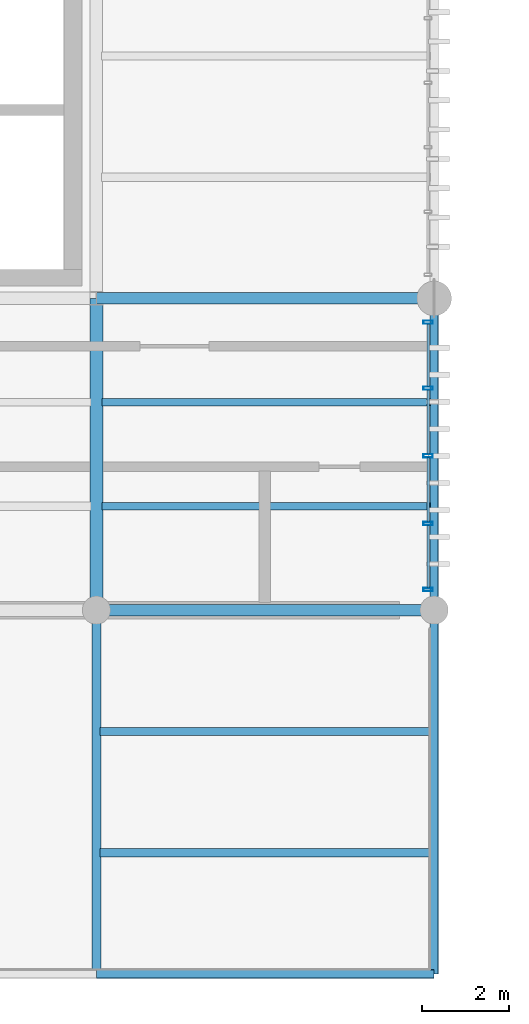
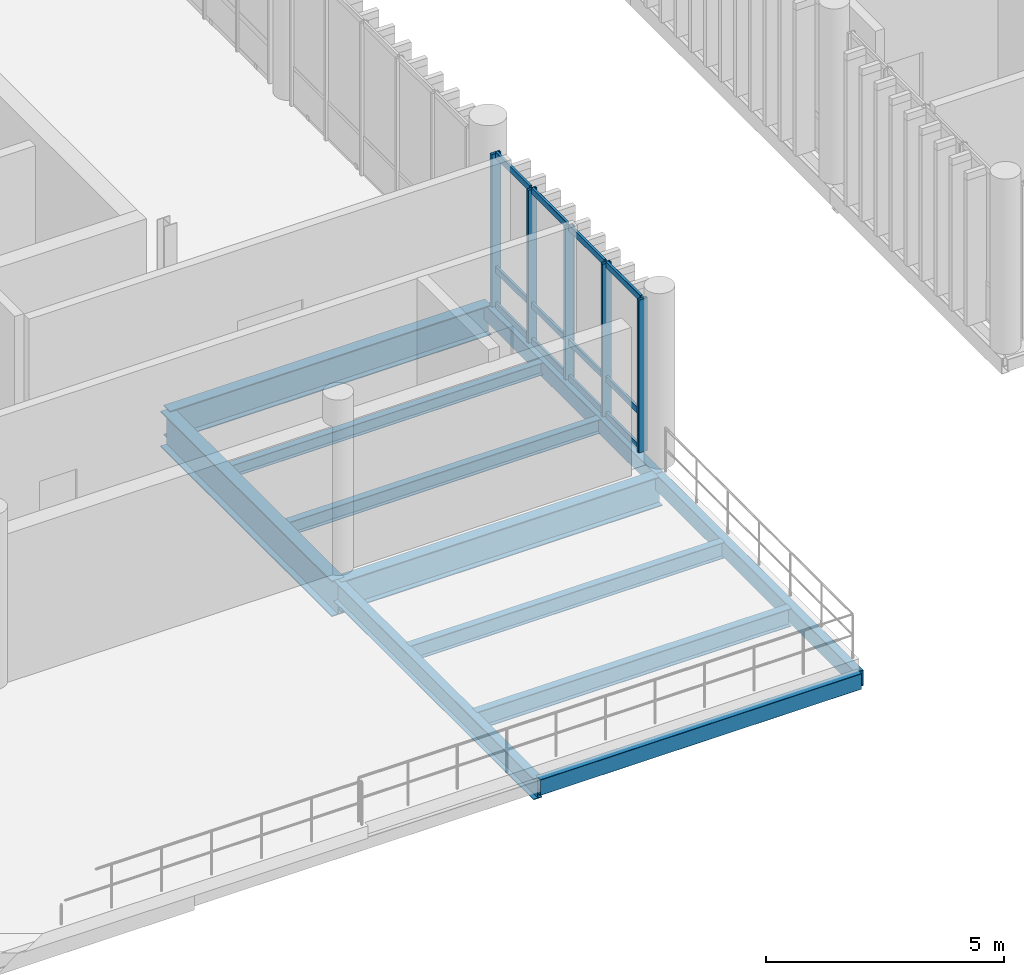
# One storey, part 15 of 66: 17 members, 11 beams, 1 element without a shape of its own.
"""IFC4 building model written with IfcOpenShell, lengths in metres."""

from ifc_helpers import new_model, si_unit, direction, frame, origin_with_axes, origin_2d_with_axis, place, context, subcontext, project, spatial, hollow_rectangle, i_section, extrude, material, material_profile, profile_set, type_object, element, aggregate, save


model = new_model("IFC4")

# Units and contexts
model_context = context("Model", 3, precision=1e-05, world=origin_with_axes(), true_north=direction((0.0, 1.0)))
body_context = subcontext(model_context, "Body", "Model", "MODEL_VIEW")
ifc_project = project(units=[si_unit("LENGTHUNIT", "METRE"), si_unit("AREAUNIT", "SQUARE_METRE"), si_unit("VOLUMEUNIT", "CUBIC_METRE"), si_unit("PLANEANGLEUNIT", "RADIAN"), si_unit("MASSUNIT", "GRAM", prefix="KILO"), si_unit("THERMODYNAMICTEMPERATUREUNIT", "KELVIN")], contexts=[model_context])

# Site, building, storey
site_placement = place(None, origin_with_axes())
site = spatial("IfcSite", under=ifc_project, at=site_placement, CompositionType="ELEMENT")
building_placement = place(site_placement, origin_with_axes())
building = spatial("IfcBuilding", under=site, at=building_placement, Name="Montbau Bow Law Courts", CompositionType="ELEMENT")
storey_placement = place(building_placement, frame((0.0, 0.0, 34.5), z_axis=(0.0, 0.0, 1.0), x_axis=(1.0, 0.0, 0.0)))
storey = spatial("IfcBuildingStorey", under=building, at=storey_placement, Name="L07", CompositionType="ELEMENT", Elevation=34.5)

# Beams
ifc_material_1 = material(Name="Steel CSA G40.21 Grade 350W (350 MPa)", Category="steel")
ifc_material_profile_1 = material_profile(ifc_material_1, i_section(OverallWidth=0.306, OverallDepth=0.919, WebThickness=0.0173, FlangeThickness=0.0279, at=origin_2d_with_axis()), Name="W920X253", Category="Main", Priority=0)
ifc_profile_set_1 = profile_set([ifc_material_profile_1], Name="Steel CSA G40.21 Grade 350W (350 MPa)")
beam_type_1 = type_object("IfcBeamType", Name="B-FLR-01", PredefinedType="BEAM", material=ifc_profile_set_1)
beam_1_placement = place(None, frame((39.0, 39.0, 33.721), z_axis=(0.0, 1.0, 0.0), x_axis=(-1.0, 0.0, 0.0)))
element("IfcBeam", 1, at=beam_1_placement, inside=storey, type_object=beam_type_1, Name="BM-L07-S0753:bm2_0756", PredefinedType="BEAM", context=body_context, shape_type="SweptSolid", body=[
    extrude(i_section(OverallWidth=0.306, OverallDepth=0.919, WebThickness=0.0173, FlangeThickness=0.0279, at=origin_2d_with_axis()), origin_with_axes(), (0.0, 0.0, 1.0), 7.2),
])
ifc_material_profile_2 = material_profile(ifc_material_1, i_section(OverallWidth=0.267, OverallDepth=0.766, WebThickness=0.0149, FlangeThickness=0.0236, at=origin_2d_with_axis()), Name="W760X185", Category="Main", Priority=0)
ifc_profile_set_2 = profile_set([ifc_material_profile_2], Name="Steel CSA G40.21 Grade 350W (350 MPa)")
beam_type_2 = type_object("IfcBeamType", Name="B-FLR-03", PredefinedType="BEAM", material=ifc_profile_set_2)
for number, where, z_axis, x_axis, name in (
    (2, (39.0, 39.0, 33.797), (1.0, 0.0, 0.0), (0.0, 1.0, 0.0), "BM-L07-S0722:bm2_0725"),
    (3, (39.0, 46.2, 33.817), (1.0, 0.0, 0.0), (0.0, 1.0, 0.0), "BM-L07-S0727:bm2_0730"),
):
    element("IfcBeam", number, at=place(None, frame(where, z_axis=z_axis, x_axis=x_axis)), inside=storey, type_object=beam_type_2, Name=name, PredefinedType="BEAM", context=body_context, shape_type="SweptSolid", body=[
        extrude(i_section(OverallWidth=0.267, OverallDepth=0.766, WebThickness=0.0149, FlangeThickness=0.0236, at=origin_2d_with_axis()), origin_with_axes(), (0.0, 0.0, 1.0), 7.8),
    ])
ifc_material_profile_3 = material_profile(ifc_material_1, i_section(OverallWidth=0.21, OverallDepth=0.537, WebThickness=0.0109, FlangeThickness=0.0174, at=origin_2d_with_axis()), Name="W530X101", Category="Main", Priority=0)
ifc_profile_set_3 = profile_set([ifc_material_profile_3], Name="Steel CSA G40.21 Grade 350W (350 MPa)")
beam_type_3 = type_object("IfcBeamType", Name="B-FLR-06", PredefinedType="BEAM", material=ifc_profile_set_3)
beam_2_placement = place(None, frame((39.0, 30.6, 33.911), z_axis=(0.0, 1.0, 0.0), x_axis=(-1.0, 0.0, 0.0)))
element("IfcBeam", 4, at=beam_2_placement, inside=storey, type_object=beam_type_3, Name="BM-L07-S0752:bm2_0755", PredefinedType="BEAM", context=body_context, shape_type="SweptSolid", body=[
    extrude(i_section(OverallWidth=0.21, OverallDepth=0.537, WebThickness=0.0109, FlangeThickness=0.0174, at=origin_2d_with_axis()), origin_with_axes(), (0.0, 0.0, 1.0), 8.4),
])
ifc_material_profile_4 = material_profile(ifc_material_1, i_section(OverallWidth=0.191, OverallDepth=0.46, WebThickness=0.0099, FlangeThickness=0.016, at=origin_2d_with_axis()), Name="W460X82", Category="Main", Priority=0)
ifc_profile_set_4 = profile_set([ifc_material_profile_4], Name="Steel CSA G40.21 Grade 350W (350 MPa)")
beam_type_4 = type_object("IfcBeamType", Name="B-JST-01", PredefinedType="JOIST", material=ifc_profile_set_4)
beam_3_placement = place(None, frame((39.081, 33.4, 33.95), z_axis=(1.0, 0.0, 0.0), x_axis=(0.0, 1.0, 0.0)))
element("IfcBeam", 5, at=beam_3_placement, inside=storey, type_object=beam_type_4, Name="JST-L07-S0380:jst2_0380", PredefinedType="JOIST", context=body_context, shape_type="SweptSolid", body=[
    extrude(i_section(OverallWidth=0.191, OverallDepth=0.46, WebThickness=0.0099, FlangeThickness=0.016, at=origin_2d_with_axis()), origin_with_axes(), (0.0, 0.0, 1.0), 7.639),
])
ifc_material_profile_5 = material_profile(ifc_material_1, i_section(OverallWidth=0.179, OverallDepth=0.41, WebThickness=0.0088, FlangeThickness=0.0144, at=origin_2d_with_axis()), Name="W410X67", Category="Main", Priority=0)
ifc_profile_set_5 = profile_set([ifc_material_profile_5], Name="Steel CSA G40.21 Grade 350W (350 MPa)")
beam_type_5 = type_object("IfcBeamType", Name="B-JST-02", PredefinedType="JOIST", material=ifc_profile_set_5)
beam_4_placement = place(None, frame((39.081, 36.2, 33.975), z_axis=(1.0, 0.0, 0.0), x_axis=(0.0, 1.0, 0.0)))
element("IfcBeam", 6, at=beam_4_placement, inside=storey, type_object=beam_type_5, Name="JST-L07-S0381:jst2_0381", PredefinedType="JOIST", context=body_context, shape_type="SweptSolid", body=[
    extrude(i_section(OverallWidth=0.179, OverallDepth=0.41, WebThickness=0.0088, FlangeThickness=0.0144, at=origin_2d_with_axis()), origin_with_axes(), (0.0, 0.0, 1.0), 7.639),
])
ifc_material_profile_6 = material_profile(ifc_material_1, i_section(OverallWidth=0.172, OverallDepth=0.358, WebThickness=0.0079, FlangeThickness=0.0131, at=origin_2d_with_axis()), Name="W360X57", Category="Main", Priority=0)
ifc_profile_set_6 = profile_set([ifc_material_profile_6], Name="Steel CSA G40.21 Grade 350W (350 MPa)")
beam_type_6 = type_object("IfcBeamType", Name="B-JST-03", PredefinedType="JOIST", material=ifc_profile_set_6)
beam_5_placement = place(None, frame((39.129, 41.4, 34.001), z_axis=(1.0, 0.0, 0.0), x_axis=(0.0, 1.0, 0.0)))
element("IfcBeam", 7, at=beam_5_placement, inside=storey, type_object=beam_type_6, Name="JST-L07-S0382:jst2_0382", PredefinedType="JOIST", context=body_context, shape_type="SweptSolid", body=[
    extrude(i_section(OverallWidth=0.172, OverallDepth=0.358, WebThickness=0.0079, FlangeThickness=0.0131, at=origin_2d_with_axis()), origin_with_axes(), (0.0, 0.0, 1.0), 7.591),
])
ifc_material_profile_7 = material_profile(ifc_material_1, i_section(OverallWidth=0.166, OverallDepth=0.313, WebThickness=0.0066, FlangeThickness=0.0112, at=origin_2d_with_axis()), Name="W310X45", Category="Main", Priority=0)
ifc_profile_set_7 = profile_set([ifc_material_profile_7], Name="Steel CSA G40.21 Grade 350W (350 MPa)")
beam_type_7 = type_object("IfcBeamType", Name="B-JST-04", PredefinedType="JOIST", material=ifc_profile_set_7)
beam_6_placement = place(None, frame((39.129, 43.8, 34.023), z_axis=(1.0, 0.0, 0.0), x_axis=(0.0, 1.0, 0.0)))
element("IfcBeam", 8, at=beam_6_placement, inside=storey, type_object=beam_type_7, Name="JST-L07-S0383:jst2_0383", PredefinedType="JOIST", context=body_context, shape_type="SweptSolid", body=[
    extrude(i_section(OverallWidth=0.166, OverallDepth=0.313, WebThickness=0.0066, FlangeThickness=0.0112, at=origin_2d_with_axis()), origin_with_axes(), (0.0, 0.0, 1.0), 7.591),
])
ifc_material_2 = material(Name="Steel CSA G40.21 Grade 350WT (350 MPa)", Category="steel")
ifc_material_profile_8 = material_profile(ifc_material_2, hollow_rectangle(XDim=0.203, YDim=0.406, WallThickness=0.0127, InnerFilletRadius=0.0254, OuterFilletRadius=0.0127, at=origin_2d_with_axis()), Name="HSS406X203X13", Category="Main", Priority=0)
ifc_profile_set_8 = profile_set([ifc_material_profile_8], Name="Steel CSA G40.21 Grade 350WT (350 MPa)")
beam_type_8 = type_object("IfcBeamType", Name="B-SPN-01", PredefinedType="SPANDREL", material=ifc_profile_set_8)
beam_7_placement = place(None, frame((39.0, 30.6, 33.977), z_axis=(1.0, 0.0, 0.0), x_axis=(0.0, 1.0, 0.0)))
element("IfcBeam", 9, at=beam_7_placement, inside=storey, type_object=beam_type_8, Name="SPN-L07-S0717:bm2_0720", PredefinedType="SPANDREL", context=body_context, shape_type="SweptSolid", body=[
    extrude(hollow_rectangle(XDim=0.203, YDim=0.406, WallThickness=0.0127, InnerFilletRadius=0.0254, OuterFilletRadius=0.0127, at=origin_2d_with_axis()), origin_with_axes(), (0.0, 0.0, 1.0), 7.8),
])
beam_8_placement = place(None, frame((46.8, 30.6, 33.977), z_axis=(0.0, 1.0, 0.0), x_axis=(-1.0, 0.0, 0.0)))
element("IfcBeam", 10, at=beam_8_placement, inside=storey, type_object=beam_type_8, Name="SPN-L07-S0756:bm2_0759", PredefinedType="SPANDREL", context=body_context, shape_type="SweptSolid", body=[
    extrude(hollow_rectangle(XDim=0.203, YDim=0.406, WallThickness=0.0127, InnerFilletRadius=0.0254, OuterFilletRadius=0.0127, at=origin_2d_with_axis()), origin_with_axes(), (0.0, 0.0, 1.0), 8.4),
])
beam_9_placement = place(None, frame((46.8, 39.0, 33.977), z_axis=(0.0, 1.0, 0.0), x_axis=(-1.0, 0.0, 0.0)))
element("IfcBeam", 11, at=beam_9_placement, inside=storey, type_object=beam_type_8, Name="SPN-L07-S0757:bm2_0760", PredefinedType="SPANDREL", context=body_context, shape_type="SweptSolid", body=[
    extrude(hollow_rectangle(XDim=0.203, YDim=0.406, WallThickness=0.0127, InnerFilletRadius=0.0254, OuterFilletRadius=0.0127, at=origin_2d_with_axis()), origin_with_axes(), (0.0, 0.0, 1.0), 7.2),
])

# Curtain wall, members
ifc_material_3 = material(Name="Thermally Broken Extruded Aluminium AA 6063-T6", Category="aluminium")
curtain_wall_type = type_object("IfcCurtainWallType", Name="CW-TRC-02", PredefinedType="NOTDEFINED", material=ifc_material_3)
curtain_wall_placement = place(None, frame((46.66, 39.44, 34.5), z_axis=(0.0, 0.0, 1.0), x_axis=(1.0, 0.0, 0.0)))
curtain_wall = element("IfcCurtainWall", 12, at=curtain_wall_placement, inside=storey, type_object=curtain_wall_type, Name="CW-L07-120:cw_0120", PredefinedType="NOTDEFINED")
ifc_material_profile_9 = material_profile(ifc_material_3, hollow_rectangle(XDim=0.075, YDim=0.22, WallThickness=0.005, InnerFilletRadius=0.01, OuterFilletRadius=0.005, at=origin_2d_with_axis()), Name="CWM-220X75", Category="Main", Priority=0)
ifc_profile_set_9 = profile_set([ifc_material_profile_9], Name="Thermally Broken Extruded Aluminium AA 6063-T6")
member_type_1 = type_object("IfcMemberType", Name="M-MUL-01", PredefinedType="MULLION", material=ifc_profile_set_9)
member_1_placement = place(None, frame((46.66, 39.477, 34.5), z_axis=(0.0, 0.0, 1.0), x_axis=(0.0, 1.0, 0.0)))
member_1 = element("IfcMember", 13, at=member_1_placement, type_object=member_type_1, Name="CW-L07-120-M01:cw_0120_M01", PredefinedType="MULLION", context=body_context, shape_type="SweptSolid", body=[
    extrude(hollow_rectangle(XDim=0.075, YDim=0.22, WallThickness=0.005, InnerFilletRadius=0.01, OuterFilletRadius=0.005, at=origin_2d_with_axis()), origin_with_axes(), (0.0, 0.0, 1.0), 3.92),
])
member_2_placement = place(None, frame((46.66, 41.001, 34.5), z_axis=(0.0, 0.0, 1.0), x_axis=(0.0, 1.0, 0.0)))
member_2 = element("IfcMember", 14, at=member_2_placement, type_object=member_type_1, Name="CW-L07-120-M02:cw_0120_M02", PredefinedType="MULLION", context=body_context, shape_type="SweptSolid", body=[
    extrude(hollow_rectangle(XDim=0.075, YDim=0.22, WallThickness=0.005, InnerFilletRadius=0.01, OuterFilletRadius=0.005, at=origin_2d_with_axis()), origin_with_axes(), (0.0, 0.0, 1.0), 3.92),
])
member_3_placement = place(None, frame((46.66, 42.563, 34.5), z_axis=(0.0, 0.0, 1.0), x_axis=(0.0, 1.0, 0.0)))
member_3 = element("IfcMember", 15, at=member_3_placement, type_object=member_type_1, Name="CW-L07-120-M03:cw_0120_M03", PredefinedType="MULLION", context=body_context, shape_type="SweptSolid", body=[
    extrude(hollow_rectangle(XDim=0.075, YDim=0.22, WallThickness=0.005, InnerFilletRadius=0.01, OuterFilletRadius=0.005, at=origin_2d_with_axis()), origin_with_axes(), (0.0, 0.0, 1.0), 3.92),
])
member_4_placement = place(None, frame((46.66, 44.124, 34.5), z_axis=(0.0, 0.0, 1.0), x_axis=(0.0, 1.0, 0.0)))
member_4 = element("IfcMember", 16, at=member_4_placement, type_object=member_type_1, Name="CW-L07-120-M04:cw_0120_M04", PredefinedType="MULLION", context=body_context, shape_type="SweptSolid", body=[
    extrude(hollow_rectangle(XDim=0.075, YDim=0.22, WallThickness=0.005, InnerFilletRadius=0.01, OuterFilletRadius=0.005, at=origin_2d_with_axis()), origin_with_axes(), (0.0, 0.0, 1.0), 3.92),
])
member_5_placement = place(None, frame((46.66, 45.648, 34.5), z_axis=(0.0, 0.0, 1.0), x_axis=(0.0, 1.0, 0.0)))
member_5 = element("IfcMember", 17, at=member_5_placement, type_object=member_type_1, Name="CW-L07-120-M05:cw_0120_M05", PredefinedType="MULLION", context=body_context, shape_type="SweptSolid", body=[
    extrude(hollow_rectangle(XDim=0.075, YDim=0.22, WallThickness=0.005, InnerFilletRadius=0.01, OuterFilletRadius=0.005, at=origin_2d_with_axis()), origin_with_axes(), (0.0, 0.0, 1.0), 3.92),
])
ifc_material_profile_10 = material_profile(ifc_material_3, hollow_rectangle(XDim=0.06, YDim=0.16, WallThickness=0.004, InnerFilletRadius=0.008, OuterFilletRadius=0.004, at=origin_2d_with_axis()), Name="CWT-160X60", Category="Main", Priority=0)
ifc_profile_set_10 = profile_set([ifc_material_profile_10], Name="Thermally Broken Extruded Aluminium AA 6063-T6")
member_type_2 = type_object("IfcMemberType", Name="M-TRN-01", PredefinedType="USERDEFINED", material=ifc_profile_set_10)
member_6_placement = place(None, frame((46.66, 39.516, 34.53), z_axis=(0.0, 1.0, 0.0), x_axis=(-1.0, 0.0, 0.0)))
member_6 = element("IfcMember", 18, at=member_6_placement, type_object=member_type_2, Name="CW-L07-120-T01-1:cw_0120_T01_1", ObjectType="TRANSOM", PredefinedType="USERDEFINED", context=body_context, shape_type="SweptSolid", body=[
    extrude(hollow_rectangle(XDim=0.06, YDim=0.16, WallThickness=0.004, InnerFilletRadius=0.008, OuterFilletRadius=0.004, at=origin_2d_with_axis()), origin_with_axes(), (0.0, 0.0, 1.0), 1.445),
])
member_7_placement = place(None, frame((46.66, 39.516, 35.45), z_axis=(0.0, 1.0, 0.0), x_axis=(-1.0, 0.0, 0.0)))
member_7 = element("IfcMember", 19, at=member_7_placement, type_object=member_type_2, Name="CW-L07-120-T01-2:cw_0120_T01_2", ObjectType="TRANSOM", PredefinedType="USERDEFINED", context=body_context, shape_type="SweptSolid", body=[
    extrude(hollow_rectangle(XDim=0.06, YDim=0.16, WallThickness=0.004, InnerFilletRadius=0.008, OuterFilletRadius=0.004, at=origin_2d_with_axis()), origin_with_axes(), (0.0, 0.0, 1.0), 1.445),
])
member_8_placement = place(None, frame((46.66, 39.516, 38.39), z_axis=(0.0, 1.0, 0.0), x_axis=(-1.0, 0.0, 0.0)))
member_8 = element("IfcMember", 20, at=member_8_placement, type_object=member_type_2, Name="CW-L07-120-T01-3:cw_0120_T01_3", ObjectType="TRANSOM", PredefinedType="USERDEFINED", context=body_context, shape_type="SweptSolid", body=[
    extrude(hollow_rectangle(XDim=0.06, YDim=0.16, WallThickness=0.004, InnerFilletRadius=0.008, OuterFilletRadius=0.004, at=origin_2d_with_axis()), origin_with_axes(), (0.0, 0.0, 1.0), 1.445),
])
member_9_placement = place(None, frame((46.66, 41.041, 34.53), z_axis=(0.0, 1.0, 0.0), x_axis=(-1.0, 0.0, 0.0)))
member_9 = element("IfcMember", 21, at=member_9_placement, type_object=member_type_2, Name="CW-L07-120-T02-1:cw_0120_T02_1", ObjectType="TRANSOM", PredefinedType="USERDEFINED", context=body_context, shape_type="SweptSolid", body=[
    extrude(hollow_rectangle(XDim=0.06, YDim=0.16, WallThickness=0.004, InnerFilletRadius=0.008, OuterFilletRadius=0.004, at=origin_2d_with_axis()), origin_with_axes(), (0.0, 0.0, 1.0), 1.483),
])
member_10_placement = place(None, frame((46.66, 41.041, 35.45), z_axis=(0.0, 1.0, 0.0), x_axis=(-1.0, 0.0, 0.0)))
member_10 = element("IfcMember", 22, at=member_10_placement, type_object=member_type_2, Name="CW-L07-120-T02-2:cw_0120_T02_2", ObjectType="TRANSOM", PredefinedType="USERDEFINED", context=body_context, shape_type="SweptSolid", body=[
    extrude(hollow_rectangle(XDim=0.06, YDim=0.16, WallThickness=0.004, InnerFilletRadius=0.008, OuterFilletRadius=0.004, at=origin_2d_with_axis()), origin_with_axes(), (0.0, 0.0, 1.0), 1.483),
])
member_11_placement = place(None, frame((46.66, 41.041, 38.39), z_axis=(0.0, 1.0, 0.0), x_axis=(-1.0, 0.0, 0.0)))
member_11 = element("IfcMember", 23, at=member_11_placement, type_object=member_type_2, Name="CW-L07-120-T02-3:cw_0120_T02_3", ObjectType="TRANSOM", PredefinedType="USERDEFINED", context=body_context, shape_type="SweptSolid", body=[
    extrude(hollow_rectangle(XDim=0.06, YDim=0.16, WallThickness=0.004, InnerFilletRadius=0.008, OuterFilletRadius=0.004, at=origin_2d_with_axis()), origin_with_axes(), (0.0, 0.0, 1.0), 1.483),
])
member_12_placement = place(None, frame((46.66, 42.603, 34.53), z_axis=(0.0, 1.0, 0.0), x_axis=(-1.0, 0.0, 0.0)))
member_12 = element("IfcMember", 24, at=member_12_placement, type_object=member_type_2, Name="CW-L07-120-T03-1:cw_0120_T03_1", ObjectType="TRANSOM", PredefinedType="USERDEFINED", context=body_context, shape_type="SweptSolid", body=[
    extrude(hollow_rectangle(XDim=0.06, YDim=0.16, WallThickness=0.004, InnerFilletRadius=0.008, OuterFilletRadius=0.004, at=origin_2d_with_axis()), origin_with_axes(), (0.0, 0.0, 1.0), 1.482),
])
member_13_placement = place(None, frame((46.66, 42.603, 35.45), z_axis=(0.0, 1.0, 0.0), x_axis=(-1.0, 0.0, 0.0)))
member_13 = element("IfcMember", 25, at=member_13_placement, type_object=member_type_2, Name="CW-L07-120-T03-2:cw_0120_T03_2", ObjectType="TRANSOM", PredefinedType="USERDEFINED", context=body_context, shape_type="SweptSolid", body=[
    extrude(hollow_rectangle(XDim=0.06, YDim=0.16, WallThickness=0.004, InnerFilletRadius=0.008, OuterFilletRadius=0.004, at=origin_2d_with_axis()), origin_with_axes(), (0.0, 0.0, 1.0), 1.482),
])
member_14_placement = place(None, frame((46.66, 42.603, 38.39), z_axis=(0.0, 1.0, 0.0), x_axis=(-1.0, 0.0, 0.0)))
member_14 = element("IfcMember", 26, at=member_14_placement, type_object=member_type_2, Name="CW-L07-120-T03-3:cw_0120_T03_3", ObjectType="TRANSOM", PredefinedType="USERDEFINED", context=body_context, shape_type="SweptSolid", body=[
    extrude(hollow_rectangle(XDim=0.06, YDim=0.16, WallThickness=0.004, InnerFilletRadius=0.008, OuterFilletRadius=0.004, at=origin_2d_with_axis()), origin_with_axes(), (0.0, 0.0, 1.0), 1.482),
])
member_15_placement = place(None, frame((46.66, 44.163, 34.53), z_axis=(0.0, 1.0, 0.0), x_axis=(-1.0, 0.0, 0.0)))
member_15 = element("IfcMember", 27, at=member_15_placement, type_object=member_type_2, Name="CW-L07-120-T04-1:cw_0120_T04_1", ObjectType="TRANSOM", PredefinedType="USERDEFINED", context=body_context, shape_type="SweptSolid", body=[
    extrude(hollow_rectangle(XDim=0.06, YDim=0.16, WallThickness=0.004, InnerFilletRadius=0.008, OuterFilletRadius=0.004, at=origin_2d_with_axis()), origin_with_axes(), (0.0, 0.0, 1.0), 1.446),
])
member_16_placement = place(None, frame((46.66, 44.163, 35.45), z_axis=(0.0, 1.0, 0.0), x_axis=(-1.0, 0.0, 0.0)))
member_16 = element("IfcMember", 28, at=member_16_placement, type_object=member_type_2, Name="CW-L07-120-T04-2:cw_0120_T04_2", ObjectType="TRANSOM", PredefinedType="USERDEFINED", context=body_context, shape_type="SweptSolid", body=[
    extrude(hollow_rectangle(XDim=0.06, YDim=0.16, WallThickness=0.004, InnerFilletRadius=0.008, OuterFilletRadius=0.004, at=origin_2d_with_axis()), origin_with_axes(), (0.0, 0.0, 1.0), 1.446),
])
member_17_placement = place(None, frame((46.66, 44.163, 38.39), z_axis=(0.0, 1.0, 0.0), x_axis=(-1.0, 0.0, 0.0)))
member_17 = element("IfcMember", 29, at=member_17_placement, type_object=member_type_2, Name="CW-L07-120-T04-3:cw_0120_T04_3", ObjectType="TRANSOM", PredefinedType="USERDEFINED", context=body_context, shape_type="SweptSolid", body=[
    extrude(hollow_rectangle(XDim=0.06, YDim=0.16, WallThickness=0.004, InnerFilletRadius=0.008, OuterFilletRadius=0.004, at=origin_2d_with_axis()), origin_with_axes(), (0.0, 0.0, 1.0), 1.446),
])
aggregate(curtain_wall, [member_1, member_2, member_3, member_4, member_5, member_6, member_7, member_8, member_9, member_10, member_11, member_12, member_13, member_14, member_15, member_16, member_17])

save(model, "model.ifc")
